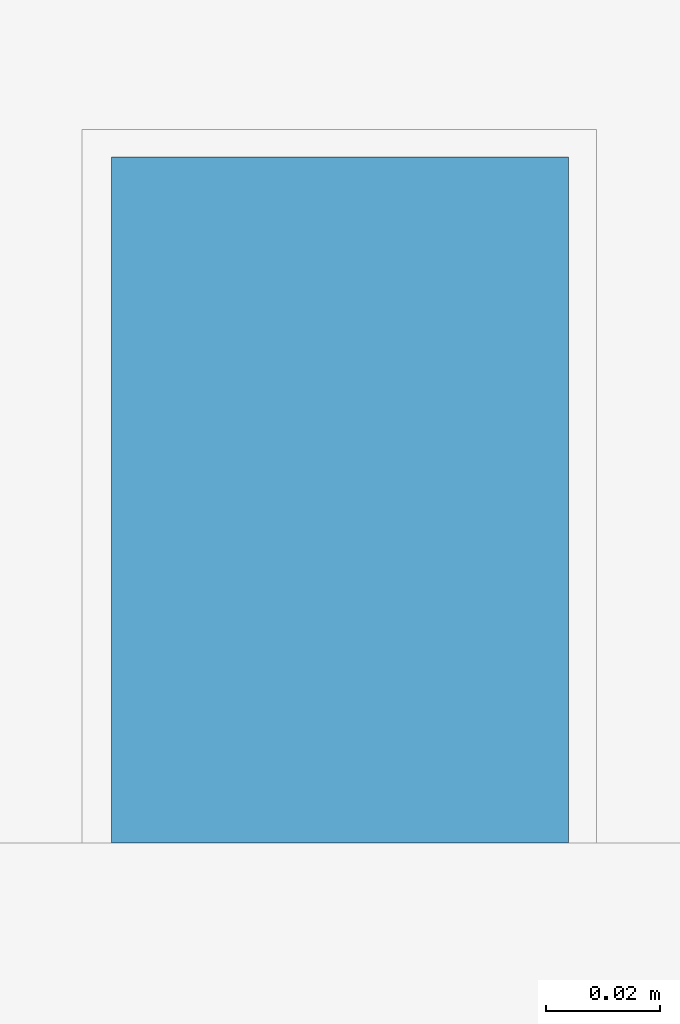
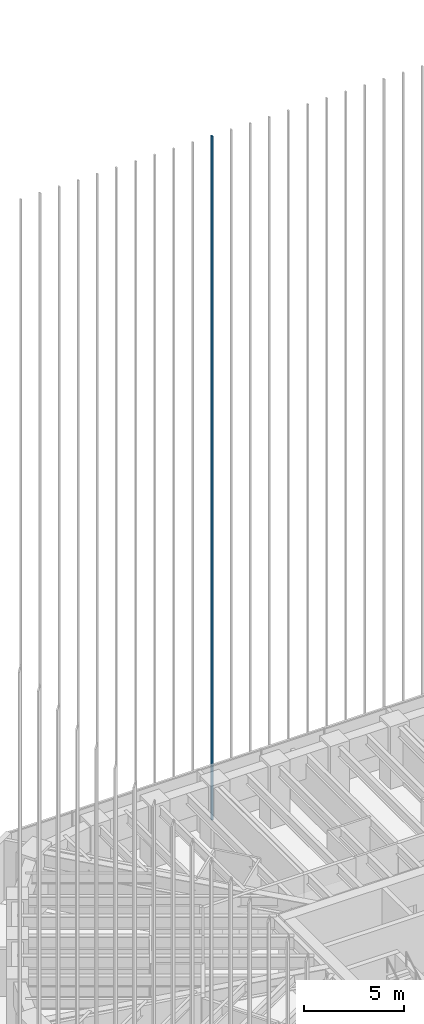
# One storey, part 80 of 127: 1 member, 1 element without a shape of its own.
"""IFC4 building model written with IfcOpenShell, lengths in metres."""

from ifc_helpers import new_model, si_unit, direction, frame, origin, origin_2d, place, context, subcontext, project, spatial, rectangle, extrude, material, material_profile, profile_set, type_object, element, aggregate, save


model = new_model("IFC4")

# Units and contexts
model_context = context("Model", 3, precision=1e-05, world=origin(), true_north=direction((0.0, 1.0)))
body_context = subcontext(model_context, "Body", "Model", "MODEL_VIEW")
ifc_project = project(units=[si_unit("LENGTHUNIT", "METRE"), si_unit("AREAUNIT", "SQUARE_METRE"), si_unit("VOLUMEUNIT", "CUBIC_METRE"), si_unit("PLANEANGLEUNIT", "RADIAN"), si_unit("MASSUNIT", "GRAM", prefix="KILO")], contexts=[model_context])

# Site, building, storey
site_placement = place(None, origin())
site = spatial("IfcSite", under=ifc_project, at=site_placement, CompositionType="ELEMENT")
building_placement = place(site_placement, origin())
building = spatial("IfcBuilding", under=site, at=building_placement, Name="Sandreach Pilgrim Tower", CompositionType="ELEMENT")
storey_placement = place(building_placement, frame((0.0, 0.0, 257.0)))
storey = spatial("IfcBuildingStorey", under=building, at=storey_placement, Name="L64", CompositionType="ELEMENT", Elevation=257.0)

# Curtain wall, member
ifc_material_1 = material(Name="Aluminium framed curtain wall", Category="aluminium")
curtain_wall_type = type_object("IfcCurtainWallType", Name="Suite tower curtain wall", PredefinedType="NOTDEFINED", material=ifc_material_1)
curtain_wall_placement = place(storey_placement, origin())
curtain_wall = element("IfcCurtainWall", 1, at=curtain_wall_placement, inside=storey, type_object=curtain_wall_type, Name="CW-4 L64 N", PredefinedType="NOTDEFINED")
ifc_material_2 = material(Name="Extruded terracotta on aluminium core", Category="masonry")
ifc_material_profile = material_profile(ifc_material_2, rectangle(XDim=0.080078125, YDim=0.1201171875, at=origin_2d()), Name="TBN 80X120")
ifc_profile_set = profile_set([ifc_material_profile], Name="Extruded terracotta on aluminium core")
member_type = type_object("IfcMemberType", Name="Terracotta baguette north", PredefinedType="USERDEFINED", material=ifc_profile_set)
member_placement = place(storey_placement, frame((-4.401611328125, 20.1865234375, 0.0), z_axis=(0.0, 0.0, 1.0), x_axis=(1.0, 0.0, 0.0)))
member = element("IfcMember", 2, at=member_placement, type_object=member_type, Name="Baguette Z4 N11", ObjectType="BAGUETTE", PredefinedType="USERDEFINED", context=body_context, shape_type="SweptSolid", body=[
    extrude(rectangle(XDim=0.080078125, YDim=0.1201171875, at=origin_2d()), origin(), (0.0, 0.0, 1.0), 41.639892578125),
])
aggregate(curtain_wall, [member])

save(model, "model.ifc")
